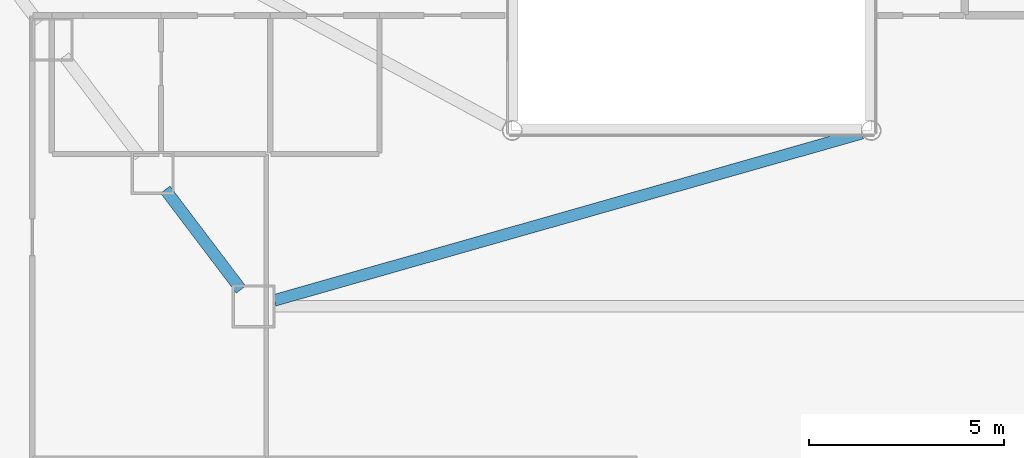
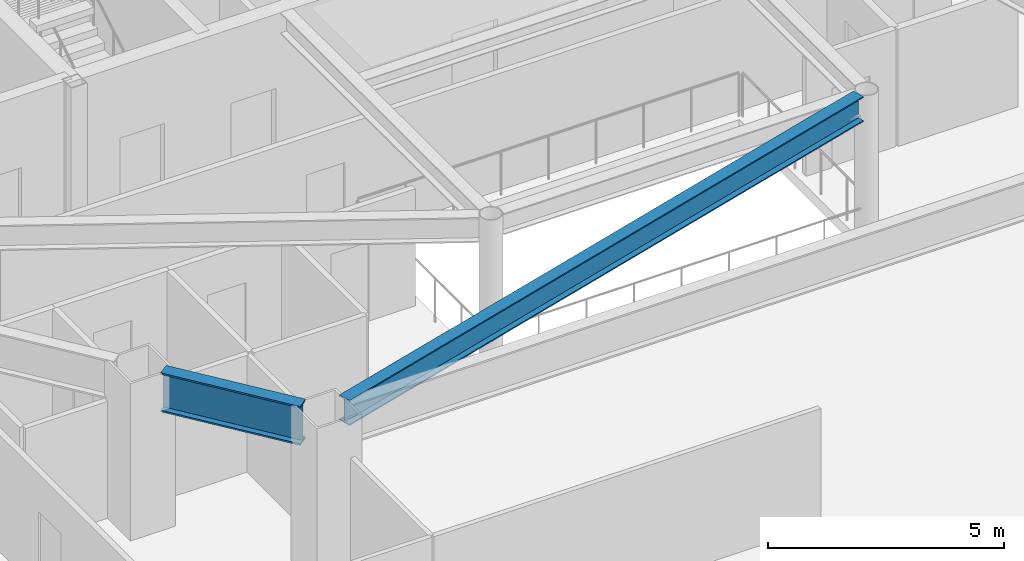
# One storey, part 7 of 33: 2 beams.
"""IFC4 building model written with IfcOpenShell, lengths in metres."""

from ifc_helpers import new_model, si_unit, direction, frame, origin, origin_2d, place, context, subcontext, project, spatial, i_section, extrude, material, material_profile, profile_set, type_object, element, save


model = new_model("IFC4")

# Units and contexts
model_context = context("Model", 3, precision=1e-05, world=origin(), true_north=direction((0.0, 1.0)))
body_context = subcontext(model_context, "Body", "Model", "MODEL_VIEW")
ifc_project = project(units=[si_unit("LENGTHUNIT", "METRE"), si_unit("AREAUNIT", "SQUARE_METRE"), si_unit("VOLUMEUNIT", "CUBIC_METRE"), si_unit("PLANEANGLEUNIT", "RADIAN"), si_unit("MASSUNIT", "GRAM", prefix="KILO")], contexts=[model_context])

# Site, building, storey
site_placement = place(None, origin())
site = spatial("IfcSite", under=ifc_project, at=site_placement, CompositionType="ELEMENT")
building_placement = place(site_placement, origin())
building = spatial("IfcBuilding", under=site, at=building_placement, Name="Zarrinselat Tower", CompositionType="ELEMENT")
storey_placement = place(building_placement, frame((0.0, 0.0, 18.360107421875)))
storey = spatial("IfcBuildingStorey", under=building, at=storey_placement, Name="L04", CompositionType="ELEMENT", Elevation=18.360107421875)

# Beams
ifc_material_1 = material(Name="Steel S355J2", Category="steel")
ifc_material_profile_1 = material_profile(ifc_material_1, i_section(OverallWidth=0.300048828125, OverallDepth=0.64990234375, WebThickness=0.01611328125, FlangeThickness=0.031005859375, at=origin_2d()), Name="HEB 650")
ifc_profile_set_1 = profile_set([ifc_material_profile_1], Name="Steel S355J2")
beam_type_1 = type_object("IfcBeamType", Name="BM-HEB650", PredefinedType="BEAM", material=ifc_profile_set_1)
beam_1_placement = place(storey_placement, frame((27.703857421875, 20.047119140625, 3.744873046875), z_axis=(0.961813567689, 0.27370542744, 0.0), x_axis=(-0.27370542744, 0.961813567689, 0.0)))
element("IfcBeam", 1, at=beam_1_placement, inside=storey, type_object=beam_type_1, Name="L04 Radial Primary Girder RG10", PredefinedType="BEAM", context=body_context, shape_type="SweptSolid", body=[
    extrude(i_section(OverallWidth=0.300048828125, OverallDepth=0.64990234375, WebThickness=0.01611328125, FlangeThickness=0.031005859375, at=origin_2d()), origin(), (0.0, 0.0, 1.0), 15.6533203125),
])
ifc_material_2 = material(Name="Steel S460M", Category="steel")
ifc_material_profile_2 = material_profile(ifc_material_2, i_section(OverallWidth=0.302001953125, OverallDepth=1.008056640625, WebThickness=0.02099609375, FlangeThickness=0.0400390625, at=origin_2d()), Name="HEM 1000")
ifc_profile_set_2 = profile_set([ifc_material_profile_2], Name="Steel S460M")
beam_type_2 = type_object("IfcBeamType", Name="BM-HEM1000", PredefinedType="BEAM", material=ifc_profile_set_2)
beam_2_placement = place(storey_placement, frame((24.908447265625, 22.88525390625, 3.56591796875), z_axis=(0.603835738536, -0.797108776057, 0.0), x_axis=(0.797108776057, 0.603835738536, 0.0)))
element("IfcBeam", 2, at=beam_2_placement, inside=storey, type_object=beam_type_2, Name="L04 Perimeter Spandrel Girder SP09", PredefinedType="BEAM", context=body_context, shape_type="SweptSolid", body=[
    extrude(i_section(OverallWidth=0.302001953125, OverallDepth=1.008056640625, WebThickness=0.02099609375, FlangeThickness=0.0400390625, at=origin_2d()), origin(), (0.0, 0.0, 1.0), 3.21240234375),
])

save(model, "model.ifc")
